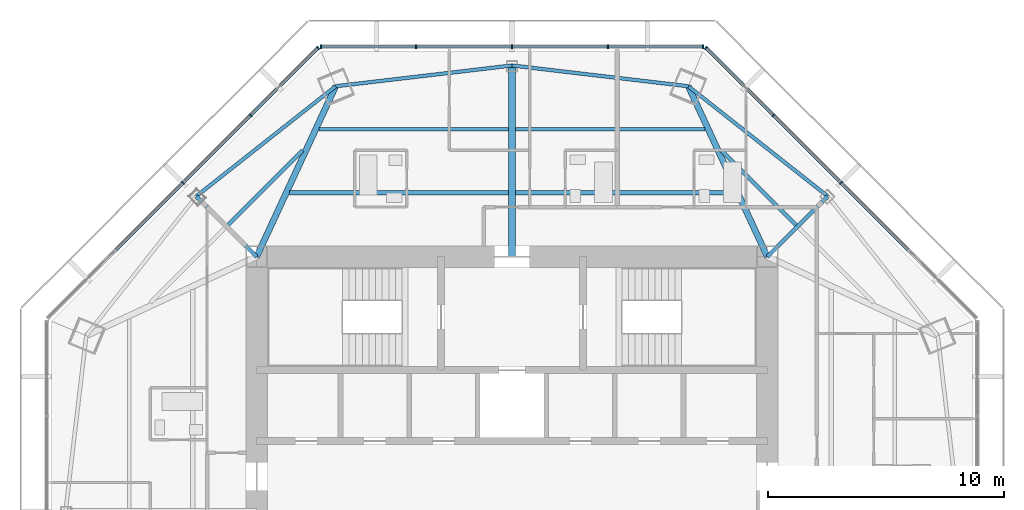
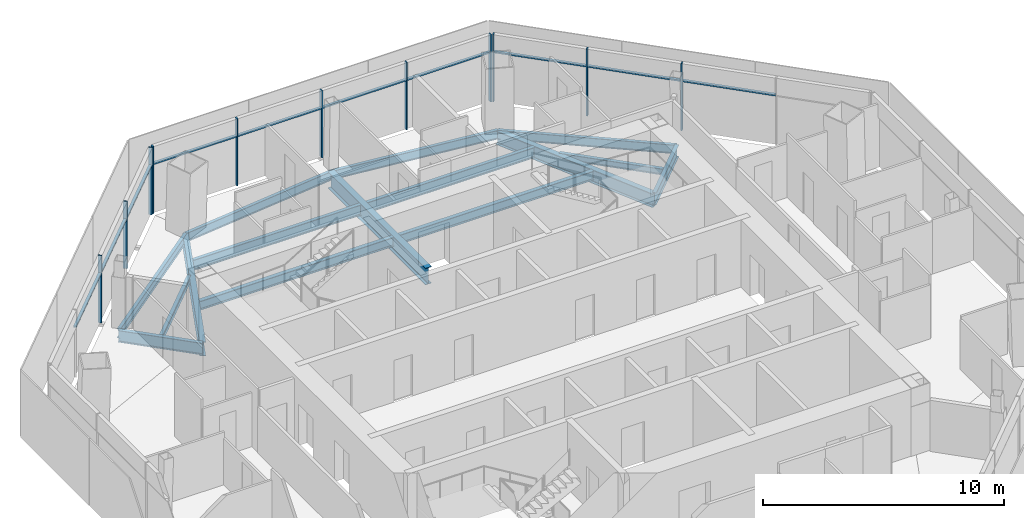
# One storey, part 6 of 15: 21 members, 15 beams, 3 elements without a shape of their own.
"""IFC4 building model written with IfcOpenShell, lengths in metres."""

import ifcopenshell
import ifcopenshell.guid

model = None  # the IFC model being written
_history = None  # IfcOwnerHistory: only IFC2X3 demands one
_inside = {}  # id of a spatial element -> (the spatial element, [elements in it])
_under = {}  # id of a project, library or spatial element -> (it, [spatial elements below it])
_declared = {}  # id of a project -> (the project, [libraries it declares])
_typed = {}  # id of a type object -> (the type object, [elements of that type])
_made_of = {}  # id of a material, layer set ... -> (it, [elements and type objects made of it])


def new_model(schema):
    """Start an empty IFC model of exactly this schema.

    Asked for "IFC4X3", IfcOpenShell would pick the latest addendum, in which some entities
    have other attributes; the version numbers below select the first issue.
    IFC2X3 requires an IfcOwnerHistory on every rooted entity: one is made here for all.
    """
    global model, _history
    if schema == "IFC4X3":
        model = ifcopenshell.file(schema_version=(4, 3, 0, 0))
    else:
        model = ifcopenshell.file(schema=schema)
    _inside.clear()
    _under.clear()
    _declared.clear()
    _typed.clear()
    _made_of.clear()
    _history = None
    if model.schema == "IFC2X3":
        org = make("IfcOrganization", Name="unknown")
        user = make(
            "IfcPersonAndOrganization",
            ThePerson=make("IfcPerson", FamilyName="unknown"),
            TheOrganization=org,
        )
        app = make(
            "IfcApplication",
            ApplicationDeveloper=org,
            Version="unknown",
            ApplicationFullName="unknown",
            ApplicationIdentifier="unknown",
        )
        _history = make(
            "IfcOwnerHistory",
            OwningUser=user,
            OwningApplication=app,
            ChangeAction="ADDED",
            CreationDate=0,
        )
    return model


def make(cls, **values):
    """One entity of the class cls with the attributes given. An attribute that is None is left unset."""
    return model.create_entity(
        cls, **{name: value for name, value in values.items() if value is not None}
    )


def rooted(cls, **values):
    """An entity with a GlobalId (a new one), such as an element, a storey or a relation."""
    return make(cls, GlobalId=ifcopenshell.guid.new(), OwnerHistory=_history, **values)


def si_unit(unit_type, name, prefix=None):
    """IfcSIUnit, for example si_unit("LENGTHUNIT", "METRE", prefix="MILLI")."""
    return make("IfcSIUnit", UnitType=unit_type, Prefix=prefix, Name=name)


def assignment(units):
    """IfcUnitAssignment: the units of a project."""
    return None if units is None else make("IfcUnitAssignment", Units=units)


def point(xyz):
    """IfcCartesianPoint."""
    return None if xyz is None else make("IfcCartesianPoint", Coordinates=xyz)


def direction(xyz):
    """IfcDirection."""
    return None if xyz is None else make("IfcDirection", DirectionRatios=xyz)


def frame(location, z_axis=None, x_axis=None):
    """IfcAxis2Placement3D, a coordinate frame: its origin and axes. An axis left out is left unset."""
    return make(
        "IfcAxis2Placement3D",
        Location=point(location),
        Axis=direction(z_axis),
        RefDirection=direction(x_axis),
    )


def frame_2d(location, x_axis=None):
    """IfcAxis2Placement2D, a coordinate frame in the plane: its origin and x axis."""
    return make(
        "IfcAxis2Placement2D", Location=point(location), RefDirection=direction(x_axis)
    )


def origin():
    """The frame at (0, 0, 0) with its axes left unset."""
    return frame((0.0, 0.0, 0.0))


def origin_2d():
    """The frame at (0, 0) in the plane with its x axis left unset."""
    return frame_2d((0.0, 0.0))


def place(relative_to, where):
    """IfcLocalPlacement: puts the frame where relative to a parent placement (None: the world)."""
    return make(
        "IfcLocalPlacement", PlacementRelTo=relative_to, RelativePlacement=where
    )


def context(
    kind, dimensions, precision=None, world=None, true_north=None, identifier=None
):
    """IfcGeometricRepresentationContext, for example the 3D "Model" context."""
    return make(
        "IfcGeometricRepresentationContext",
        ContextIdentifier=identifier,
        ContextType=kind,
        CoordinateSpaceDimension=dimensions,
        Precision=precision,
        WorldCoordinateSystem=world,
        TrueNorth=true_north,
    )


def subcontext(parent, identifier, kind, view, scale=None):
    """IfcGeometricRepresentationSubContext, for example "Body" below "Model"."""
    return make(
        "IfcGeometricRepresentationSubContext",
        ContextIdentifier=identifier,
        ContextType=kind,
        ParentContext=parent,
        TargetScale=scale,
        TargetView=view,
    )


def project(units=None, contexts=None):
    """IfcProject with its units and contexts."""
    return rooted(
        "IfcProject",
        Name="project",
        RepresentationContexts=contexts,
        UnitsInContext=assignment(units),
    )


def spatial(cls, under=None, at=None, **own):
    """A site, building, storey or space (cls), placed at a placement, below another one or the project."""
    s = rooted(cls, ObjectPlacement=at, **own)
    if under is not None:
        _under.setdefault(under.id(), (under, []))[1].append(s)
    return s


def profile(cls, at=None, kind="AREA", **sizes):
    """A parametric profile (cls). Its sizes go by their IFC names, for example OverallWidth=200.0."""
    return make(cls, ProfileType=kind, Position=at, **sizes)


def rectangle(**sizes):
    """IfcRectangleProfileDef."""
    return profile("IfcRectangleProfileDef", **sizes)


def i_section(**sizes):
    """IfcIShapeProfileDef."""
    return profile("IfcIShapeProfileDef", **sizes)


def extrude(swept, where, along, depth):
    """IfcExtrudedAreaSolid: the profile swept, set in the frame where, extruded along a direction by depth."""
    return make(
        "IfcExtrudedAreaSolid",
        SweptArea=swept,
        Position=where,
        ExtrudedDirection=direction(along),
        Depth=depth,
    )


def shape(context_of_items, identifier, shape_type, items):
    """IfcShapeRepresentation: the items that make up one representation, for example the "Body"."""
    return make(
        "IfcShapeRepresentation",
        ContextOfItems=context_of_items,
        RepresentationIdentifier=identifier,
        RepresentationType=shape_type,
        Items=items,
    )


def source(mapping_origin, context_of_items, identifier, shape_type, items):
    """IfcRepresentationMap: a shape defined once, which mapped items show again and again."""
    return make(
        "IfcRepresentationMap",
        MappingOrigin=mapping_origin,
        MappedRepresentation=shape(context_of_items, identifier, shape_type, items),
    )


def transform(
    local_origin,
    x_axis=None,
    y_axis=None,
    z_axis=None,
    scale=None,
    scale2=None,
    scale3=None,
    uniform=True,
):
    """IfcCartesianTransformationOperator3D, or its non-uniform kind. x_axis, y_axis, z_axis: its Axis1, 2, 3."""
    if uniform:
        return make(
            "IfcCartesianTransformationOperator3D",
            Axis1=direction(x_axis),
            Axis2=direction(y_axis),
            LocalOrigin=point(local_origin),
            Scale=scale,
            Axis3=direction(z_axis),
        )
    return make(
        "IfcCartesianTransformationOperator3DnonUniform",
        Axis1=direction(x_axis),
        Axis2=direction(y_axis),
        LocalOrigin=point(local_origin),
        Scale=scale,
        Axis3=direction(z_axis),
        Scale2=scale2,
        Scale3=scale3,
    )


def mapped(mapping_source, mapping_target):
    """IfcMappedItem: shows the shape of a source again, moved by a transform."""
    return make(
        "IfcMappedItem", MappingSource=mapping_source, MappingTarget=mapping_target
    )


def material(Name=None, Category=None):
    """IfcMaterial."""
    return make("IfcMaterial", Name=Name, Category=Category)


def material_profile(
    of_material, cross_section, Name=None, Category=None, Priority=None
):
    """IfcMaterialProfile: a cross section and its material."""
    return make(
        "IfcMaterialProfile",
        Name=Name,
        Material=of_material,
        Profile=cross_section,
        Priority=Priority,
        Category=Category,
    )


def profile_set(profiles, Name=None, composite=None):
    """IfcMaterialProfileSet."""
    return make(
        "IfcMaterialProfileSet",
        Name=Name,
        MaterialProfiles=profiles,
        CompositeProfile=composite,
    )


def made_of(thing, what):
    """Note that an element or type object is made of a material, layer set ...; save() writes the relation."""
    if what is not None:
        _made_of.setdefault(what.id(), (what, []))[1].append(thing)
    return thing


def type_object(cls, material=None, **own):
    """A type object (cls), such as IfcWallType, which elements share."""
    return made_of(rooted(cls, **own), material)


def type_shapes(of_type, sources):
    """Give a type object the sources (RepresentationMaps) that its elements show as mapped items."""
    of_type.RepresentationMaps = sources


def element(
    cls,
    number,
    at=None,
    inside=None,
    cuts=None,
    type_object=None,
    material=None,
    context=None,
    identifier="Body",
    shape_type=None,
    held_by="IfcProductDefinitionShape",
    body=None,
    shapes=None,
    **own,
):
    """One element of the class cls, such as IfcWall. Its Tag is "e" and its number.

    at: its placement. inside: the storey or other place that contains it. cuts: it is an
    opening in that element (IfcRelVoidsElement). A single representation is given by context,
    identifier, shape_type and body (its items); several are given by shapes. held_by: the class
    of the entity that holds the representations. save() writes the other relations.
    """
    e = rooted(cls, Tag="e%d" % number, ObjectPlacement=at, **own)
    if body is not None:
        shapes = [shape(context, identifier, shape_type, body)]
    if shapes is not None:
        e.Representation = make(held_by, Representations=shapes)
    if inside is not None:
        _inside.setdefault(inside.id(), (inside, []))[1].append(e)
    if cuts is not None:
        rooted(
            "IfcRelVoidsElement", RelatingBuildingElement=cuts, RelatedOpeningElement=e
        )
    if type_object is not None:
        _typed.setdefault(type_object.id(), (type_object, []))[1].append(e)
    return made_of(e, material)


def aggregate(whole, parts):
    """IfcRelAggregates: a whole, such as a stair, and the parts it consists of."""
    return rooted("IfcRelAggregates", RelatingObject=whole, RelatedObjects=parts)


def save(model, path):
    """Write the relations noted so far, then the file.

    IfcRelAggregates (storeys below a building ...), IfcRelContainedInSpatialStructure (elements
    in a storey), IfcRelDefinesByType, IfcRelAssociatesMaterial and IfcRelDeclares: one each for
    every whole, place, type object, material and project.
    """
    for whole, parts in _under.values():
        aggregate(whole, parts)
    for where, things in _inside.values():
        rooted(
            "IfcRelContainedInSpatialStructure",
            RelatedElements=things,
            RelatingStructure=where,
        )
    for kind, things in _typed.values():
        rooted("IfcRelDefinesByType", RelatedObjects=things, RelatingType=kind)
    for what, things in _made_of.values():
        rooted("IfcRelAssociatesMaterial", RelatedObjects=things, RelatingMaterial=what)
    for by, libraries in _declared.values():
        rooted("IfcRelDeclares", RelatingContext=by, RelatedDefinitions=libraries)
    model.write(path)


model = new_model("IFC4")

# Units and contexts
model_context = context("Model", 3, precision=1e-05, world=origin(), true_north=direction((0.0, 1.0)))
body_context = subcontext(model_context, "Body", "Model", "MODEL_VIEW")
ifc_project = project(units=[si_unit("LENGTHUNIT", "METRE"), si_unit("AREAUNIT", "SQUARE_METRE"), si_unit("VOLUMEUNIT", "CUBIC_METRE"), si_unit("PLANEANGLEUNIT", "RADIAN"), si_unit("MASSUNIT", "GRAM", prefix="KILO")], contexts=[model_context])

# Site, building, storey
site_placement = place(None, origin())
site = spatial("IfcSite", under=ifc_project, at=site_placement, CompositionType="ELEMENT")
building_placement = place(site_placement, origin())
building = spatial("IfcBuilding", under=site, at=building_placement, Name="Mashrafa Tower", CompositionType="ELEMENT")
storey_placement = place(building_placement, frame((0.0, 0.0, 294.60009765625)))
storey = spatial("IfcBuildingStorey", under=building, at=storey_placement, Name="L72", CompositionType="ELEMENT", Elevation=294.60009765625)

# Beams
ifc_material_1 = material(Name="Steel ASTM A992", Category="steel")
ifc_material_profile_1 = material_profile(ifc_material_1, i_section(OverallWidth=0.164794921875, OverallDepth=0.309814453125, WebThickness=0.005859375, FlangeThickness=0.009765625, FilletRadius=0.007568359375, at=origin_2d()), Name="W12X26")
ifc_profile_set_1 = profile_set([ifc_material_profile_1], Name="Steel ASTM A992")
beam_type_1 = type_object("IfcBeamType", Name="Beam W12X26", PredefinedType="BEAM", material=ifc_profile_set_1)
for number, where, z_axis, x_axis, name in (
    (1, (-12.014404296875, 12.140380859375, -0.35498046875), (0.707106781187, 0.707106781187, 0.0), (-0.707106781187, 0.707106781187, 0.0), "Floor beam L72 007"),
    (2, (8.856689453125, 15.298095703125, -0.35498046875), (0.707106781187, -0.707106781187, 0.0), (0.707106781187, 0.707106781187, 0.0), "Floor beam L72 016"),
):
    element("IfcBeam", number, at=place(storey_placement, frame(where, z_axis=z_axis, x_axis=x_axis)), inside=storey, type_object=beam_type_1, Name=name, PredefinedType="BEAM", context=body_context, shape_type="SweptSolid", body=[
        extrude(i_section(OverallWidth=0.164794921875, OverallDepth=0.309814453125, WebThickness=0.005859375, FlangeThickness=0.009765625, FilletRadius=0.007568359375, at=origin_2d()), origin(), (0.0, 0.0, 1.0), 4.465576171875),
    ])
ifc_material_2 = material(Name="Steel ASTM A992", Category="steel")
ifc_material_profile_2 = material_profile(ifc_material_2, i_section(OverallWidth=0.15234375, OverallDepth=0.449462890625, WebThickness=0.007568359375, FlangeThickness=0.0107421875, FilletRadius=0.01025390625, at=origin_2d()), Name="W18X35")
ifc_profile_set_2 = profile_set([ifc_material_profile_2], Name="Steel ASTM A992")
beam_type_2 = type_object("IfcBeamType", Name="Beam W18X35", PredefinedType="BEAM", material=ifc_profile_set_2)
for number, where, z_axis, x_axis, name in (
    (3, (-7.459228515625, 18.00830078125, -0.4248046875), (-0.784933517474, -0.619579997374, 0.0), (0.619579997374, -0.784933517474, 0.0), "Spandrel beam L72 047"),
    (4, (0.0, 18.88671875, -0.4248046875), (-0.993137285087, -0.116954405516, 0.0), (0.116954405516, -0.993137285087, 0.0), "Spandrel beam L72 049"),
    (5, (7.459228515625, 18.00830078125, -0.4248046875), (-0.993137285087, 0.116954405516, 0.0), (-0.116954405516, -0.993137285087, 0.0), "Spandrel beam L72 051"),
    (6, (13.354736328125, 13.354736328125, -0.4248046875), (-0.784933517474, 0.619579997374, 0.0), (-0.619579997374, -0.784933517474, 0.0), "Spandrel beam L72 053"),
):
    element("IfcBeam", number, at=place(storey_placement, frame(where, z_axis=z_axis, x_axis=x_axis)), inside=storey, type_object=beam_type_2, Name=name, PredefinedType="BEAM", context=body_context, shape_type="SweptSolid", body=[
        extrude(i_section(OverallWidth=0.15234375, OverallDepth=0.449462890625, WebThickness=0.007568359375, FlangeThickness=0.0107421875, FilletRadius=0.01025390625, at=origin_2d()), origin(), (0.0, 0.0, 1.0), 7.5107421875),
    ])
ifc_material_3 = material(Name="Steel ASTM A992", Category="steel")
ifc_material_profile_3 = material_profile(ifc_material_3, i_section(OverallWidth=0.191162109375, OverallDepth=0.459716796875, WebThickness=0.010009765625, FlangeThickness=0.01611328125, FilletRadius=0.01025390625, at=origin_2d()), Name="W18X55")
ifc_profile_set_3 = profile_set([ifc_material_profile_3], Name="Steel ASTM A992")
beam_type_3 = type_object("IfcBeamType", Name="Beam W18X55", PredefinedType="BEAM", material=ifc_profile_set_3)
for number, where, z_axis, x_axis, name in (
    (7, (-9.409423828125, 13.49560546875, -0.429931640625), (1.0, 0.0, 0.0), (0.0, 1.0, 0.0), "Floor beam L72 008"),
    (8, (0.14599609375, 13.49560546875, -0.429931640625), (1.0, 0.0, 0.0), (0.0, 1.0, 0.0), "Floor beam L72 013"),
):
    element("IfcBeam", number, at=place(storey_placement, frame(where, z_axis=z_axis, x_axis=x_axis)), inside=storey, type_object=beam_type_3, Name=name, PredefinedType="BEAM", context=body_context, shape_type="SweptSolid", body=[
        extrude(i_section(OverallWidth=0.191162109375, OverallDepth=0.459716796875, WebThickness=0.010009765625, FlangeThickness=0.01611328125, FilletRadius=0.01025390625, at=origin_2d()), origin(), (0.0, 0.0, 1.0), 9.263427734375),
    ])
ifc_material_4 = material(Name="Steel ASTM A992", Category="steel")
ifc_material_profile_4 = material_profile(ifc_material_4, i_section(OverallWidth=0.165771484375, OverallDepth=0.5283203125, WebThickness=0.009765625, FlangeThickness=0.013671875, FilletRadius=0.012939453125, at=origin_2d()), Name="W21X50")
ifc_profile_set_4 = profile_set([ifc_material_profile_4], Name="Steel ASTM A992")
beam_type_4 = type_object("IfcBeamType", Name="Beam W21X50", PredefinedType="BEAM", material=ifc_profile_set_4)
for number, where, z_axis, x_axis, name in (
    (9, (-8.16015625, 16.191162109375, -0.46435546875), (1.0, 0.0, 0.0), (0.0, 1.0, 0.0), "Floor beam L72 010"),
    (10, (0.14599609375, 16.191162109375, -0.46435546875), (1.0, 0.0, 0.0), (0.0, 1.0, 0.0), "Floor beam L72 014"),
):
    element("IfcBeam", number, at=place(storey_placement, frame(where, z_axis=z_axis, x_axis=x_axis)), inside=storey, type_object=beam_type_4, Name=name, PredefinedType="BEAM", context=body_context, shape_type="SweptSolid", body=[
        extrude(i_section(OverallWidth=0.165771484375, OverallDepth=0.5283203125, WebThickness=0.009765625, FlangeThickness=0.013671875, FilletRadius=0.012939453125, at=origin_2d()), origin(), (0.0, 0.0, 1.0), 8.01416015625),
    ])
ifc_material_5 = material(Name="Steel ASTM A992", Category="steel")
ifc_material_profile_5 = material_profile(ifc_material_5, i_section(OverallWidth=0.177978515625, OverallDepth=0.599365234375, WebThickness=0.010009765625, FlangeThickness=0.012939453125, FilletRadius=0.012939453125, at=origin_2d()), Name="W24X55")
ifc_profile_set_5 = profile_set([ifc_material_profile_5], Name="Steel ASTM A992")
beam_type_5 = type_object("IfcBeamType", Name="Beam W24X55", PredefinedType="BEAM", material=ifc_profile_set_5)
for number, where, z_axis, x_axis, name in (
    (11, (-10.800048828125, 10.800048828125, -0.499755859375), (-0.707106781187, 0.707106781187, 0.0), (-0.707106781187, -0.707106781187, 0.0), "Radial girder L72 030"),
    (12, (10.800048828125, 10.800048828125, -0.499755859375), (0.707106781187, 0.707106781187, 0.0), (-0.707106781187, 0.707106781187, 0.0), "Radial girder L72 039"),
):
    element("IfcBeam", number, at=place(storey_placement, frame(where, z_axis=z_axis, x_axis=x_axis)), inside=storey, type_object=beam_type_5, Name=name, PredefinedType="BEAM", context=body_context, shape_type="SweptSolid", body=[
        extrude(i_section(OverallWidth=0.177978515625, OverallDepth=0.599365234375, WebThickness=0.010009765625, FlangeThickness=0.012939453125, FilletRadius=0.012939453125, at=origin_2d()), origin(), (0.0, 0.0, 1.0), 3.61279296875),
    ])
ifc_material_6 = material(Name="Steel ASTM A992", Category="steel")
ifc_material_profile_6 = material_profile(ifc_material_6, i_section(OverallWidth=0.256591796875, OverallDepth=0.693359375, WebThickness=0.014404296875, FlangeThickness=0.023681640625, FilletRadius=0.01513671875, at=origin_2d()), Name="W27X114")
ifc_profile_set_6 = profile_set([ifc_material_profile_6], Name="Steel ASTM A992")
beam_type_6 = type_object("IfcBeamType", Name="Beam W27X114", PredefinedType="BEAM", material=ifc_profile_set_6)
for number, where, z_axis, x_axis, name in (
    (13, (-10.800048828125, 10.800048828125, -0.546875), (0.420503585281, 0.907290876602, 0.0), (-0.907290876602, 0.420503585281, 0.0), "Radial girder L72 031"),
    (14, (10.800048828125, 10.800048828125, -0.546875), (-0.420503585281, 0.907290876602, 0.0), (-0.907290876602, -0.420503585281, 0.0), "Radial girder L72 038"),
):
    element("IfcBeam", number, at=place(storey_placement, frame(where, z_axis=z_axis, x_axis=x_axis)), inside=storey, type_object=beam_type_6, Name=name, PredefinedType="BEAM", context=body_context, shape_type="SweptSolid", body=[
        extrude(i_section(OverallWidth=0.256591796875, OverallDepth=0.693359375, WebThickness=0.014404296875, FlangeThickness=0.023681640625, FilletRadius=0.01513671875, at=origin_2d()), origin(), (0.0, 0.0, 1.0), 7.94482421875),
    ])
ifc_material_7 = material(Name="Steel ASTM A992", Category="steel")
ifc_material_profile_7 = material_profile(ifc_material_7, i_section(OverallWidth=0.2919921875, OverallDepth=0.8408203125, WebThickness=0.0146484375, FlangeThickness=0.021728515625, FilletRadius=0.017333984375, at=origin_2d()), Name="W33X130")
ifc_profile_set_7 = profile_set([ifc_material_profile_7], Name="Steel ASTM A992")
beam_type_7 = type_object("IfcBeamType", Name="Beam W33X130", PredefinedType="BEAM", material=ifc_profile_set_7)
beam_placement = place(storey_placement, frame((0.0, 10.800048828125, -0.620361328125), z_axis=(0.0, 1.0, 0.0), x_axis=(-1.0, 0.0, 0.0)))
element("IfcBeam", 15, at=beam_placement, inside=storey, type_object=beam_type_7, Name="Radial girder L72 033", PredefinedType="BEAM", context=body_context, shape_type="SweptSolid", body=[
    extrude(i_section(OverallWidth=0.2919921875, OverallDepth=0.8408203125, WebThickness=0.0146484375, FlangeThickness=0.021728515625, FilletRadius=0.017333984375, at=origin_2d()), origin(), (0.0, 0.0, 1.0), 8.086669921875),
])

# Curtain wall, members
ifc_material_8 = material(Name="Unitised aluminium curtain wall", Category="aluminium")
curtain_wall_type = type_object("IfcCurtainWallType", Name="Apartment curtain wall, zone 4 CW-D 160 deep", PredefinedType="NOTDEFINED", material=ifc_material_8)
curtain_wall_1_placement = place(storey_placement, origin())
curtain_wall_1 = element("IfcCurtainWall", 16, at=curtain_wall_1_placement, inside=storey, type_object=curtain_wall_type, Name="Apartment curtain wall, zone 4 L72 north-east", PredefinedType="NOTDEFINED")
ifc_material_9 = material(Name="Extruded aluminium mullion", Category="aluminium")
ifc_material_profile_8 = material_profile(ifc_material_9, rectangle(XDim=0.159912109375, YDim=0.06005859375, at=origin_2d()), Name="Mullion 60x160")
ifc_profile_set_8 = profile_set([ifc_material_profile_8], Name="Extruded aluminium mullion")
member_type_1 = type_object("IfcMemberType", Name="Mullion CW-D 60 x 160", PredefinedType="MULLION", material=ifc_profile_set_8)
shared_shape_1 = source(origin(), body_context, "Body", "SweptSolid", [
    extrude(rectangle(XDim=0.159912109375, YDim=0.06005859375, at=origin_2d()), origin(), (0.0, 0.0, 1.0), 3.39990234375),
])
type_shapes(member_type_1, [shared_shape_1])
member_1_placement = place(storey_placement, frame((13.91650390625, 13.91650390625, 0.0), z_axis=(0.0, 0.0, 1.0), x_axis=(-0.707106781187, -0.707106781187, 0.0)))
member_1 = element("IfcMember", 17, at=member_1_placement, type_object=member_type_1, Name="CW-D mullion 3", PredefinedType="MULLION", context=body_context, shape_type="MappedRepresentation", body=[
    mapped(shared_shape_1, transform((0.0, 0.0, 0.0))),
])
member_2_placement = place(storey_placement, frame((11.049560546875, 16.783447265625, 0.0), z_axis=(0.0, 0.0, 1.0), x_axis=(-0.707106781187, -0.707106781187, 0.0)))
member_2 = element("IfcMember", 18, at=member_2_placement, type_object=member_type_1, Name="CW-D mullion 4", PredefinedType="MULLION", context=body_context, shape_type="MappedRepresentation", body=[
    mapped(shared_shape_1, transform((0.0, 0.0, 0.0))),
])
member_3_placement = place(storey_placement, frame((8.203857421875, 19.629150390625, 0.0), z_axis=(0.0, 0.0, 1.0), x_axis=(-0.707106781187, -0.707106781187, 0.0)))
member_3 = element("IfcMember", 19, at=member_3_placement, type_object=member_type_1, Name="CW-D mullion 5", PredefinedType="MULLION", context=body_context, shape_type="MappedRepresentation", body=[
    mapped(shared_shape_1, transform((0.0, 0.0, 0.0))),
])

curtain_wall_2_placement = place(storey_placement, origin())
curtain_wall_2 = element("IfcCurtainWall", 20, at=curtain_wall_2_placement, inside=storey, type_object=curtain_wall_type, Name="Apartment curtain wall, zone 4 L72 north", PredefinedType="NOTDEFINED")
member_4_placement = place(storey_placement, frame((8.078857421875, 19.680908203125, 0.0), z_axis=(0.0, 0.0, 1.0), x_axis=(0.0, -1.0, 0.0)))
member_4 = element("IfcMember", 21, at=member_4_placement, type_object=member_type_1, Name="CW-D mullion 1", PredefinedType="MULLION", context=body_context, shape_type="MappedRepresentation", body=[
    mapped(shared_shape_1, transform((0.0, 0.0, 0.0))),
])
member_5_placement = place(storey_placement, frame((4.054443359375, 19.680908203125, 0.0), z_axis=(0.0, 0.0, 1.0), x_axis=(0.0, -1.0, 0.0)))
member_5 = element("IfcMember", 22, at=member_5_placement, type_object=member_type_1, Name="CW-D mullion 2", PredefinedType="MULLION", context=body_context, shape_type="MappedRepresentation", body=[
    mapped(shared_shape_1, transform((0.0, 0.0, 0.0))),
])
member_6_placement = place(storey_placement, frame((0.0, 19.680908203125, 0.0), z_axis=(0.0, 0.0, 1.0), x_axis=(0.0, -1.0, 0.0)))
member_6 = element("IfcMember", 23, at=member_6_placement, type_object=member_type_1, Name="CW-D mullion 3", PredefinedType="MULLION", context=body_context, shape_type="MappedRepresentation", body=[
    mapped(shared_shape_1, transform((0.0, 0.0, 0.0))),
])
member_7_placement = place(storey_placement, frame((-4.054443359375, 19.680908203125, 0.0), z_axis=(0.0, 0.0, 1.0), x_axis=(0.0, -1.0, 0.0)))
member_7 = element("IfcMember", 24, at=member_7_placement, type_object=member_type_1, Name="CW-D mullion 4", PredefinedType="MULLION", context=body_context, shape_type="MappedRepresentation", body=[
    mapped(shared_shape_1, transform((0.0, 0.0, 0.0))),
])
member_8_placement = place(storey_placement, frame((-8.078857421875, 19.680908203125, 0.0), z_axis=(0.0, 0.0, 1.0), x_axis=(0.0, -1.0, 0.0)))
member_8 = element("IfcMember", 25, at=member_8_placement, type_object=member_type_1, Name="CW-D mullion 5", PredefinedType="MULLION", context=body_context, shape_type="MappedRepresentation", body=[
    mapped(shared_shape_1, transform((0.0, 0.0, 0.0))),
])

curtain_wall_3_placement = place(storey_placement, origin())
curtain_wall_3 = element("IfcCurtainWall", 26, at=curtain_wall_3_placement, inside=storey, type_object=curtain_wall_type, Name="Apartment curtain wall, zone 4 L72 north-west", PredefinedType="NOTDEFINED")
member_9_placement = place(storey_placement, frame((-8.203857421875, 19.629150390625, 0.0), z_axis=(0.0, 0.0, 1.0), x_axis=(0.707106781187, -0.707106781187, 0.0)))
member_9 = element("IfcMember", 27, at=member_9_placement, type_object=member_type_1, Name="CW-D mullion 1", PredefinedType="MULLION", context=body_context, shape_type="MappedRepresentation", body=[
    mapped(shared_shape_1, transform((0.0, 0.0, 0.0))),
])
member_10_placement = place(storey_placement, frame((-11.049560546875, 16.783447265625, 0.0), z_axis=(0.0, 0.0, 1.0), x_axis=(0.707106781187, -0.707106781187, 0.0)))
member_10 = element("IfcMember", 28, at=member_10_placement, type_object=member_type_1, Name="CW-D mullion 2", PredefinedType="MULLION", context=body_context, shape_type="MappedRepresentation", body=[
    mapped(shared_shape_1, transform((0.0, 0.0, 0.0))),
])
member_11_placement = place(storey_placement, frame((-13.91650390625, 13.91650390625, 0.0), z_axis=(0.0, 0.0, 1.0), x_axis=(0.707106781187, -0.707106781187, 0.0)))
member_11 = element("IfcMember", 29, at=member_11_placement, type_object=member_type_1, Name="CW-D mullion 3", PredefinedType="MULLION", context=body_context, shape_type="MappedRepresentation", body=[
    mapped(shared_shape_1, transform((0.0, 0.0, 0.0))),
])

# Member
ifc_material_10 = material(Name="Extruded aluminium transom", Category="aluminium")
ifc_material_profile_9 = material_profile(ifc_material_10, rectangle(XDim=0.1279296875, YDim=0.074951171875, at=origin_2d()), Name="Transom 75x128")
ifc_profile_set_9 = profile_set([ifc_material_profile_9], Name="Extruded aluminium transom")
member_type_2 = type_object("IfcMemberType", Name="Transom CW-D 75 x 128", PredefinedType="MULLION", material=ifc_profile_set_9)
shared_shape_2 = source(origin(), body_context, "Body", "SweptSolid", [
    extrude(rectangle(XDim=0.1279296875, YDim=0.074951171875, at=origin_2d()), origin(), (0.0, 0.0, 1.0), 3.964599609375),
])
member_12_placement = place(storey_placement, frame((8.049072265625, 19.680908203125, 2.5), z_axis=(-1.0, 0.0, 0.0), x_axis=(0.0, -1.0, 0.0)))
member_12 = element("IfcMember", 30, at=member_12_placement, type_object=member_type_2, Name="CW-D transom 1", PredefinedType="MULLION", context=body_context, shape_type="MappedRepresentation", body=[
    mapped(shared_shape_2, transform((0.0, 0.0, 0.0))),
])

member_13_placement = place(storey_placement, frame((-4.08447265625, 19.680908203125, 2.5), z_axis=(-1.0, 0.0, 0.0), x_axis=(0.0, -1.0, 0.0)))
member_13 = element("IfcMember", 31, at=member_13_placement, type_object=member_type_2, Name="CW-D transom 4", PredefinedType="MULLION", context=body_context, shape_type="MappedRepresentation", body=[
    mapped(shared_shape_2, transform((0.0, 0.0, 0.0))),
])

shared_shape_3 = source(origin(), body_context, "Body", "SweptSolid", [
    extrude(rectangle(XDim=0.1279296875, YDim=0.074951171875, at=origin_2d()), origin(), (0.0, 0.0, 1.0), 3.994384765625),
])
member_14_placement = place(storey_placement, frame((16.76220703125, 11.07080078125, 2.5), z_axis=(-0.707106781187, 0.707106781187, 0.0), x_axis=(-0.707106781187, -0.707106781187, 0.0)))
member_14 = element("IfcMember", 32, at=member_14_placement, type_object=member_type_2, Name="CW-D transom 2", PredefinedType="MULLION", context=body_context, shape_type="MappedRepresentation", body=[
    mapped(shared_shape_3, transform((0.0, 0.0, 0.0))),
])

member_15_placement = place(storey_placement, frame((13.895263671875, 13.937744140625, 2.5), z_axis=(-0.707106781187, 0.707106781187, 0.0), x_axis=(-0.707106781187, -0.707106781187, 0.0)))
member_15 = element("IfcMember", 33, at=member_15_placement, type_object=member_type_2, Name="CW-D transom 3", PredefinedType="MULLION", context=body_context, shape_type="MappedRepresentation", body=[
    mapped(shared_shape_3, transform((0.0, 0.0, 0.0))),
])

member_16_placement = place(storey_placement, frame((4.0244140625, 19.680908203125, 2.5), z_axis=(-1.0, 0.0, 0.0), x_axis=(0.0, -1.0, 0.0)))
member_16 = element("IfcMember", 34, at=member_16_placement, type_object=member_type_2, Name="CW-D transom 2", PredefinedType="MULLION", context=body_context, shape_type="MappedRepresentation", body=[
    mapped(shared_shape_3, transform((0.0, 0.0, 0.0))),
])

member_17_placement = place(storey_placement, frame((-0.030029296875, 19.680908203125, 2.5), z_axis=(-1.0, 0.0, 0.0), x_axis=(0.0, -1.0, 0.0)))
member_17 = element("IfcMember", 35, at=member_17_placement, type_object=member_type_2, Name="CW-D transom 3", PredefinedType="MULLION", context=body_context, shape_type="MappedRepresentation", body=[
    mapped(shared_shape_3, transform((0.0, 0.0, 0.0))),
])

aggregate(curtain_wall_2, [member_4, member_5, member_6, member_7, member_8, member_12, member_16, member_17, member_13])

member_18_placement = place(storey_placement, frame((-11.07080078125, 16.76220703125, 2.5), z_axis=(-0.707106781187, -0.707106781187, 0.0), x_axis=(0.707106781187, -0.707106781187, 0.0)))
member_18 = element("IfcMember", 36, at=member_18_placement, type_object=member_type_2, Name="CW-D transom 2", PredefinedType="MULLION", context=body_context, shape_type="MappedRepresentation", body=[
    mapped(shared_shape_3, transform((0.0, 0.0, 0.0))),
])

member_19_placement = place(storey_placement, frame((-13.937744140625, 13.895263671875, 2.5), z_axis=(-0.707106781187, -0.707106781187, 0.0), x_axis=(0.707106781187, -0.707106781187, 0.0)))
member_19 = element("IfcMember", 37, at=member_19_placement, type_object=member_type_2, Name="CW-D transom 3", PredefinedType="MULLION", context=body_context, shape_type="MappedRepresentation", body=[
    mapped(shared_shape_3, transform((0.0, 0.0, 0.0))),
])

shared_shape_4 = source(origin(), body_context, "Body", "SweptSolid", [
    extrude(rectangle(XDim=0.1279296875, YDim=0.074951171875, at=origin_2d()), origin(), (0.0, 0.0, 1.0), 3.96435546875),
])
type_shapes(member_type_2, [shared_shape_2, shared_shape_3, shared_shape_4])
member_20_placement = place(storey_placement, frame((11.0283203125, 16.8046875, 2.5), z_axis=(-0.707106781187, 0.707106781187, 0.0), x_axis=(-0.707106781187, -0.707106781187, 0.0)))
member_20 = element("IfcMember", 38, at=member_20_placement, type_object=member_type_2, Name="CW-D transom 4", PredefinedType="MULLION", context=body_context, shape_type="MappedRepresentation", body=[
    mapped(shared_shape_4, transform((0.0, 0.0, 0.0))),
])

aggregate(curtain_wall_1, [member_1, member_2, member_3, member_14, member_15, member_20])

member_21_placement = place(storey_placement, frame((-8.22509765625, 19.60791015625, 2.5), z_axis=(-0.707106781187, -0.707106781187, 0.0), x_axis=(0.707106781187, -0.707106781187, 0.0)))
member_21 = element("IfcMember", 39, at=member_21_placement, type_object=member_type_2, Name="CW-D transom 1", PredefinedType="MULLION", context=body_context, shape_type="MappedRepresentation", body=[
    mapped(shared_shape_4, transform((0.0, 0.0, 0.0))),
])

aggregate(curtain_wall_3, [member_9, member_10, member_11, member_21, member_18, member_19])

save(model, "model.ifc")
